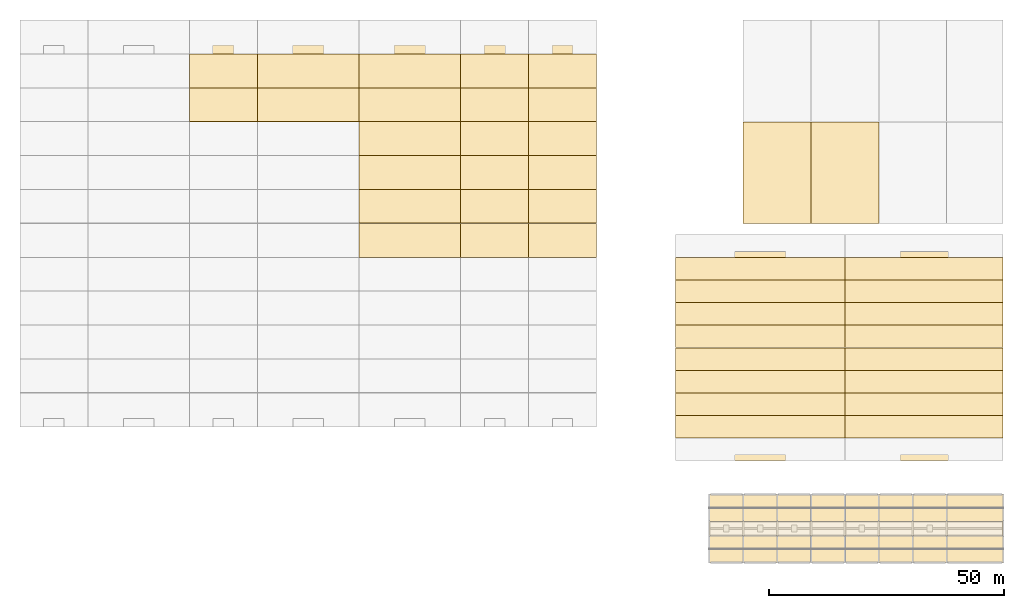
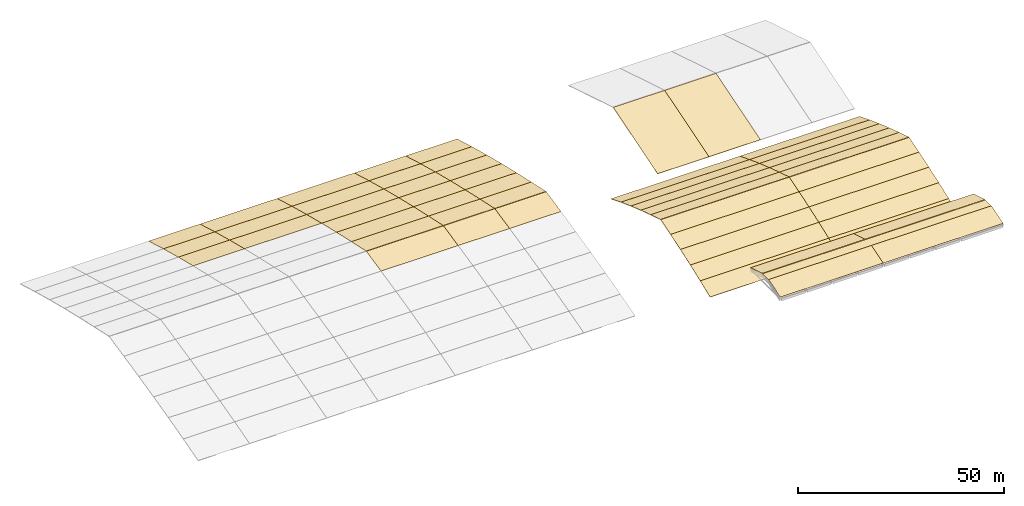
# One storey, part 6 of 7: 54 coverings, 11 elements without a shape of their own.
"""IFC4 building model written with IfcOpenShell, lengths in metres."""

import ifcopenshell
import ifcopenshell.guid

model = None  # the IFC model being written
_history = None  # IfcOwnerHistory: only IFC2X3 demands one
_inside = {}  # id of a spatial element -> (the spatial element, [elements in it])
_under = {}  # id of a project, library or spatial element -> (it, [spatial elements below it])
_declared = {}  # id of a project -> (the project, [libraries it declares])
_typed = {}  # id of a type object -> (the type object, [elements of that type])
_made_of = {}  # id of a material, layer set ... -> (it, [elements and type objects made of it])


def new_model(schema):
    """Start an empty IFC model of exactly this schema.

    Asked for "IFC4X3", IfcOpenShell would pick the latest addendum, in which some entities
    have other attributes; the version numbers below select the first issue.
    IFC2X3 requires an IfcOwnerHistory on every rooted entity: one is made here for all.
    """
    global model, _history
    if schema == "IFC4X3":
        model = ifcopenshell.file(schema_version=(4, 3, 0, 0))
    else:
        model = ifcopenshell.file(schema=schema)
    _inside.clear()
    _under.clear()
    _declared.clear()
    _typed.clear()
    _made_of.clear()
    _history = None
    if model.schema == "IFC2X3":
        org = make("IfcOrganization", Name="unknown")
        user = make(
            "IfcPersonAndOrganization",
            ThePerson=make("IfcPerson", FamilyName="unknown"),
            TheOrganization=org,
        )
        app = make(
            "IfcApplication",
            ApplicationDeveloper=org,
            Version="unknown",
            ApplicationFullName="unknown",
            ApplicationIdentifier="unknown",
        )
        _history = make(
            "IfcOwnerHistory",
            OwningUser=user,
            OwningApplication=app,
            ChangeAction="ADDED",
            CreationDate=0,
        )
    return model


def make(cls, **values):
    """One entity of the class cls with the attributes given. An attribute that is None is left unset."""
    return model.create_entity(
        cls, **{name: value for name, value in values.items() if value is not None}
    )


def rooted(cls, **values):
    """An entity with a GlobalId (a new one), such as an element, a storey or a relation."""
    return make(cls, GlobalId=ifcopenshell.guid.new(), OwnerHistory=_history, **values)


def si_unit(unit_type, name, prefix=None):
    """IfcSIUnit, for example si_unit("LENGTHUNIT", "METRE", prefix="MILLI")."""
    return make("IfcSIUnit", UnitType=unit_type, Prefix=prefix, Name=name)


def assignment(units):
    """IfcUnitAssignment: the units of a project."""
    return None if units is None else make("IfcUnitAssignment", Units=units)


def point(xyz):
    """IfcCartesianPoint."""
    return None if xyz is None else make("IfcCartesianPoint", Coordinates=xyz)


def direction(xyz):
    """IfcDirection."""
    return None if xyz is None else make("IfcDirection", DirectionRatios=xyz)


def frame(location, z_axis=None, x_axis=None):
    """IfcAxis2Placement3D, a coordinate frame: its origin and axes. An axis left out is left unset."""
    return make(
        "IfcAxis2Placement3D",
        Location=point(location),
        Axis=direction(z_axis),
        RefDirection=direction(x_axis),
    )


def origin():
    """The frame at (0, 0, 0) with its axes left unset."""
    return frame((0.0, 0.0, 0.0))


def place(relative_to, where):
    """IfcLocalPlacement: puts the frame where relative to a parent placement (None: the world)."""
    return make(
        "IfcLocalPlacement", PlacementRelTo=relative_to, RelativePlacement=where
    )


def context(
    kind, dimensions, precision=None, world=None, true_north=None, identifier=None
):
    """IfcGeometricRepresentationContext, for example the 3D "Model" context."""
    return make(
        "IfcGeometricRepresentationContext",
        ContextIdentifier=identifier,
        ContextType=kind,
        CoordinateSpaceDimension=dimensions,
        Precision=precision,
        WorldCoordinateSystem=world,
        TrueNorth=true_north,
    )


def subcontext(parent, identifier, kind, view, scale=None):
    """IfcGeometricRepresentationSubContext, for example "Body" below "Model"."""
    return make(
        "IfcGeometricRepresentationSubContext",
        ContextIdentifier=identifier,
        ContextType=kind,
        ParentContext=parent,
        TargetScale=scale,
        TargetView=view,
    )


def project(units=None, contexts=None):
    """IfcProject with its units and contexts."""
    return rooted(
        "IfcProject",
        Name="project",
        RepresentationContexts=contexts,
        UnitsInContext=assignment(units),
    )


def spatial(cls, under=None, at=None, **own):
    """A site, building, storey or space (cls), placed at a placement, below another one or the project."""
    s = rooted(cls, ObjectPlacement=at, **own)
    if under is not None:
        _under.setdefault(under.id(), (under, []))[1].append(s)
    return s


def polyline(points):
    """IfcPolyline through the points."""
    return make("IfcPolyline", Points=[point(p) for p in points])


def outline(outer, holes=None, kind="AREA"):
    """IfcArbitraryClosedProfileDef: a profile drawn as a closed curve; with holes, ...WithVoids."""
    if holes is None:
        return make("IfcArbitraryClosedProfileDef", ProfileType=kind, OuterCurve=outer)
    return make(
        "IfcArbitraryProfileDefWithVoids",
        ProfileType=kind,
        OuterCurve=outer,
        InnerCurves=holes,
    )


def extrude(swept, where, along, depth):
    """IfcExtrudedAreaSolid: the profile swept, set in the frame where, extruded along a direction by depth."""
    return make(
        "IfcExtrudedAreaSolid",
        SweptArea=swept,
        Position=where,
        ExtrudedDirection=direction(along),
        Depth=depth,
    )


def shape(context_of_items, identifier, shape_type, items):
    """IfcShapeRepresentation: the items that make up one representation, for example the "Body"."""
    return make(
        "IfcShapeRepresentation",
        ContextOfItems=context_of_items,
        RepresentationIdentifier=identifier,
        RepresentationType=shape_type,
        Items=items,
    )


def material(Name=None, Category=None):
    """IfcMaterial."""
    return make("IfcMaterial", Name=Name, Category=Category)


def layer(
    of_material, thickness, ventilated=None, Name=None, Category=None, Priority=None
):
    """IfcMaterialLayer: one layer of a wall or slab, of a material (None: an air gap)."""
    return make(
        "IfcMaterialLayer",
        Material=of_material,
        LayerThickness=thickness,
        IsVentilated=ventilated,
        Name=Name,
        Category=Category,
        Priority=Priority,
    )


def layer_set(layers, Name=None):
    """IfcMaterialLayerSet."""
    return make("IfcMaterialLayerSet", MaterialLayers=layers, LayerSetName=Name)


def made_of(thing, what):
    """Note that an element or type object is made of a material, layer set ...; save() writes the relation."""
    if what is not None:
        _made_of.setdefault(what.id(), (what, []))[1].append(thing)
    return thing


def type_object(cls, material=None, **own):
    """A type object (cls), such as IfcWallType, which elements share."""
    return made_of(rooted(cls, **own), material)


def element(
    cls,
    number,
    at=None,
    inside=None,
    cuts=None,
    type_object=None,
    material=None,
    context=None,
    identifier="Body",
    shape_type=None,
    held_by="IfcProductDefinitionShape",
    body=None,
    shapes=None,
    **own,
):
    """One element of the class cls, such as IfcWall. Its Tag is "e" and its number.

    at: its placement. inside: the storey or other place that contains it. cuts: it is an
    opening in that element (IfcRelVoidsElement). A single representation is given by context,
    identifier, shape_type and body (its items); several are given by shapes. held_by: the class
    of the entity that holds the representations. save() writes the other relations.
    """
    e = rooted(cls, Tag="e%d" % number, ObjectPlacement=at, **own)
    if body is not None:
        shapes = [shape(context, identifier, shape_type, body)]
    if shapes is not None:
        e.Representation = make(held_by, Representations=shapes)
    if inside is not None:
        _inside.setdefault(inside.id(), (inside, []))[1].append(e)
    if cuts is not None:
        rooted(
            "IfcRelVoidsElement", RelatingBuildingElement=cuts, RelatedOpeningElement=e
        )
    if type_object is not None:
        _typed.setdefault(type_object.id(), (type_object, []))[1].append(e)
    return made_of(e, material)


def aggregate(whole, parts):
    """IfcRelAggregates: a whole, such as a stair, and the parts it consists of."""
    return rooted("IfcRelAggregates", RelatingObject=whole, RelatedObjects=parts)


def save(model, path):
    """Write the relations noted so far, then the file.

    IfcRelAggregates (storeys below a building ...), IfcRelContainedInSpatialStructure (elements
    in a storey), IfcRelDefinesByType, IfcRelAssociatesMaterial and IfcRelDeclares: one each for
    every whole, place, type object, material and project.
    """
    for whole, parts in _under.values():
        aggregate(whole, parts)
    for where, things in _inside.values():
        rooted(
            "IfcRelContainedInSpatialStructure",
            RelatedElements=things,
            RelatingStructure=where,
        )
    for kind, things in _typed.values():
        rooted("IfcRelDefinesByType", RelatedObjects=things, RelatingType=kind)
    for what, things in _made_of.values():
        rooted("IfcRelAssociatesMaterial", RelatedObjects=things, RelatingMaterial=what)
    for by, libraries in _declared.values():
        rooted("IfcRelDeclares", RelatingContext=by, RelatedDefinitions=libraries)
    model.write(path)


model = new_model("IFC4")

# Units and contexts
model_context = context("Model", 3, precision=1e-05, world=origin(), true_north=direction((0.0, 1.0)))
body_context = subcontext(model_context, "Body", "Model", "MODEL_VIEW")
ifc_project = project(units=[si_unit("LENGTHUNIT", "METRE"), si_unit("AREAUNIT", "SQUARE_METRE"), si_unit("VOLUMEUNIT", "CUBIC_METRE"), si_unit("PLANEANGLEUNIT", "RADIAN"), si_unit("MASSUNIT", "GRAM", prefix="KILO")], contexts=[model_context])

# Site, building, storey
site_placement = place(None, origin())
site = spatial("IfcSite", under=ifc_project, at=site_placement, CompositionType="ELEMENT")
building_placement = place(site_placement, origin())
building = spatial("IfcBuilding", under=site, at=building_placement, Name="Cendralis Lancet Convention Centre", CompositionType="ELEMENT")
storey_placement = place(building_placement, frame((0.0, 0.0, 29.39990234375)))
storey = spatial("IfcBuildingStorey", under=building, at=storey_placement, Name="RF", CompositionType="ELEMENT", Elevation=29.39990234375)

# Covering
ifc_material_1 = material(Name="Elastomeric waterproof roof membrane")
ifc_layer_1 = layer(ifc_material_1, 0.050048828125, Name="Elastomeric waterproof roof membrane")
ifc_layer_set_1 = layer_set([ifc_layer_1], Name="Elastomeric waterproof roof membrane")
covering_type_1 = type_object("IfcCoveringType", Name="ARC-CV-MEMB", PredefinedType="ROOFING", material=ifc_layer_set_1)
covering_1_placement = place(storey_placement, frame((0.0, 0.0, 1.10009765625)))
element("IfcCovering", 1, at=covering_1_placement, inside=storey, type_object=covering_type_1, Name="RF Elastomeric Roof Membrane V5TOP", PredefinedType="ROOFING", context=body_context, shape_type="SweptSolid", body=[
    extrude(outline(polyline([(146.39990234375, 27.300048828125), (208.800048828125, 27.300048828125), (208.800048828125, 30.300048828125), (146.39990234375, 30.300048828125), (146.39990234375, 27.300048828125)])), origin(), (0.0, 0.0, 1.0), 0.02001953125),
])

# Roof, coverings
ifc_material_2 = material(Name="Patinated standing-seam zinc roofing")
ifc_layer_2 = layer(ifc_material_2, 0.159912109375, Name="Patinated standing-seam zinc roofing")
ifc_layer_set_2 = layer_set([ifc_layer_2], Name="Patinated standing-seam zinc roofing")
roof_type_1 = type_object("IfcRoofType", Name="ARC-RF-BARREL", PredefinedType="BARREL_ROOF", material=ifc_layer_set_2)
roof_1_placement = place(storey_placement, origin())
roof_1 = element("IfcRoof", 2, at=roof_1_placement, inside=storey, type_object=roof_type_1, Name="V1 Pointed-Arch Vault Roof Assembly #03", PredefinedType="BARREL_ROOF")
ifc_layer_3 = layer(ifc_material_2, 0.0400390625, Name="Patinated standing-seam zinc roofing")
ifc_layer_set_3 = layer_set([ifc_layer_3], Name="Patinated standing-seam zinc roofing")
covering_type_2 = type_object("IfcCoveringType", Name="ARC-CV-ZINC", PredefinedType="ROOFING", material=ifc_layer_set_3)
covering_2_placement = place(storey_placement, frame((36.0, 115.199951171875, -9.364501953125), z_axis=(0.0, 0.241645185965, 0.970364675831), x_axis=(1.0, 0.0, 0.0)))
covering_2 = element("IfcCovering", 3, at=covering_2_placement, type_object=covering_type_2, Name="V1 Standing-Seam Zinc Vault Roofing 03-09", PredefinedType="ROOFING", context=body_context, shape_type="SweptSolid", body=[
    extrude(outline(polyline([(0.0, 0.0), (14.39990234375, 0.0), (14.39990234375, 7.419840551916243), (0.0, 7.419840551916243), (0.0, 0.0)])), origin(), (0.0, 0.0, -1.0), 0.0400390625),
])
covering_3_placement = place(storey_placement, frame((36.0, 122.39990234375, -11.156494140625), z_axis=(0.0, 0.257615748816, 0.966247445514), x_axis=(1.0, 0.0, 0.0)))
covering_3 = element("IfcCovering", 4, at=covering_3_placement, type_object=covering_type_2, Name="V1 Standing-Seam Zinc Vault Roofing 03-10", PredefinedType="ROOFING", context=body_context, shape_type="SweptSolid", body=[
    extrude(outline(polyline([(0.0, 0.0), (14.39990234375, 0.0), (14.39990234375, 7.4517095449300825), (0.0, 7.4517095449300825), (0.0, 0.0)])), origin(), (0.0, 0.0, -1.0), 0.0400390625),
])
covering_4_placement = place(storey_placement, frame((36.0, 129.60009765625, -13.0751953125), z_axis=(0.0, 0.274660839675, 0.961541170803), x_axis=(1.0, 0.0, 0.0)))
covering_4 = element("IfcCovering", 5, at=covering_4_placement, type_object=covering_type_2, Name="V1 Standing-Seam Zinc Vault Roofing 03-11", PredefinedType="ROOFING", context=body_context, shape_type="SweptSolid", body=[
    extrude(outline(polyline([(0.0, 0.0), (14.39990234375, 0.0), (14.39990234375, 7.487928120500662), (0.0, 7.487928120500662), (0.0, 0.0)])), origin(), (0.0, 0.0, -1.0), 0.0400390625),
])
aggregate(roof_1, [covering_2, covering_3, covering_4])

roof_2_placement = place(storey_placement, origin())
roof_2 = element("IfcRoof", 6, at=roof_2_placement, inside=storey, type_object=roof_type_1, Name="V1 Pointed-Arch Vault Roof Assembly #04", PredefinedType="BARREL_ROOF")
covering_5_placement = place(storey_placement, frame((50.39990234375, 115.199951171875, -9.364501953125), z_axis=(0.0, 0.241645185965, 0.970364675831), x_axis=(1.0, 0.0, 0.0)))
covering_5 = element("IfcCovering", 7, at=covering_5_placement, type_object=covering_type_2, Name="V1 Standing-Seam Zinc Vault Roofing 04-09", PredefinedType="ROOFING", context=body_context, shape_type="SweptSolid", body=[
    extrude(outline(polyline([(0.0, 0.0), (21.60009765625, 0.0), (21.60009765625, 7.419840551916243), (0.0, 7.419840551916243), (0.0, 0.0)])), origin(), (0.0, 0.0, -1.0), 0.0400390625),
])
covering_6_placement = place(storey_placement, frame((50.39990234375, 122.39990234375, -11.156494140625), z_axis=(0.0, 0.257615748816, 0.966247445514), x_axis=(1.0, 0.0, 0.0)))
covering_6 = element("IfcCovering", 8, at=covering_6_placement, type_object=covering_type_2, Name="V1 Standing-Seam Zinc Vault Roofing 04-10", PredefinedType="ROOFING", context=body_context, shape_type="SweptSolid", body=[
    extrude(outline(polyline([(0.0, 0.0), (21.60009765625, 0.0), (21.60009765625, 7.4517095449300825), (0.0, 7.4517095449300825), (0.0, 0.0)])), origin(), (0.0, 0.0, -1.0), 0.0400390625),
])
covering_7_placement = place(storey_placement, frame((50.39990234375, 129.60009765625, -13.0751953125), z_axis=(0.0, 0.274660839675, 0.961541170803), x_axis=(1.0, 0.0, 0.0)))
covering_7 = element("IfcCovering", 9, at=covering_7_placement, type_object=covering_type_2, Name="V1 Standing-Seam Zinc Vault Roofing 04-11", PredefinedType="ROOFING", context=body_context, shape_type="SweptSolid", body=[
    extrude(outline(polyline([(0.0, 0.0), (21.60009765625, 0.0), (21.60009765625, 7.487928120500662), (0.0, 7.487928120500662), (0.0, 0.0)])), origin(), (0.0, 0.0, -1.0), 0.0400390625),
])
aggregate(roof_2, [covering_5, covering_6, covering_7])

roof_3_placement = place(storey_placement, origin())
roof_3 = element("IfcRoof", 10, at=roof_3_placement, inside=storey, type_object=roof_type_1, Name="V1 Pointed-Arch Vault Roof Assembly #05", PredefinedType="BARREL_ROOF")
covering_8_placement = place(storey_placement, frame((72.0, 86.39990234375, -6.0751953125), z_axis=(0.0, -0.210669519092, 0.977557340377), x_axis=(1.0, 0.0, 0.0)))
covering_8 = element("IfcCovering", 11, at=covering_8_placement, type_object=covering_type_2, Name="V1 Standing-Seam Zinc Vault Roofing 05-05", PredefinedType="ROOFING", context=body_context, shape_type="SweptSolid", body=[
    extrude(outline(polyline([(0.0, 0.0), (21.60009765625, 0.0), (21.60009765625, 7.3090541456043425), (0.0, 7.3090541456043425), (0.0, 0.0)])), origin(), (0.0, 0.0, -1.0), 0.0400390625),
])
covering_9_placement = place(storey_placement, frame((72.0, 93.655029296875, -4.535400390625), z_axis=(0.0, 0.210669519092, 0.977557340377), x_axis=(1.0, 0.0, 0.0)))
covering_9 = element("IfcCovering", 12, at=covering_9_placement, type_object=covering_type_2, Name="V1 Standing-Seam Zinc Vault Roofing 05-06", PredefinedType="ROOFING", context=body_context, shape_type="SweptSolid", body=[
    extrude(outline(polyline([(0.0, 0.0), (21.60009765625, 0.0), (21.60009765625, 7.3090541456043425), (0.0, 7.3090541456043425), (0.0, 0.0)])), origin(), (0.0, 0.0, -1.0), 0.0400390625),
])
covering_10_placement = place(storey_placement, frame((72.0, 100.800048828125, -6.074951171875), z_axis=(0.0, 0.217354480974, 0.976092736168), x_axis=(1.0, 0.0, 0.0)))
covering_10 = element("IfcCovering", 13, at=covering_10_placement, type_object=covering_type_2, Name="V1 Standing-Seam Zinc Vault Roofing 05-07", PredefinedType="ROOFING", context=body_context, shape_type="SweptSolid", body=[
    extrude(outline(polyline([(0.0, 0.0), (21.60009765625, 0.0), (21.60009765625, 7.376298280980386), (0.0, 7.376298280980386), (0.0, 0.0)])), origin(), (0.0, 0.0, -1.0), 0.0400390625),
])
covering_11_placement = place(storey_placement, frame((72.0, 108.0, -7.677490234375), z_axis=(0.0, 0.228192789739, 0.97361596675), x_axis=(1.0, 0.0, 0.0)))
covering_11 = element("IfcCovering", 14, at=covering_11_placement, type_object=covering_type_2, Name="V1 Standing-Seam Zinc Vault Roofing 05-08", PredefinedType="ROOFING", context=body_context, shape_type="SweptSolid", body=[
    extrude(outline(polyline([(0.0, 0.0), (21.60009765625, 0.0), (21.60009765625, 7.395062753444637), (0.0, 7.395062753444637), (0.0, 0.0)])), origin(), (0.0, 0.0, -1.0), 0.0400390625),
])
covering_12_placement = place(storey_placement, frame((72.0, 115.199951171875, -9.364501953125), z_axis=(0.0, 0.241645185965, 0.970364675831), x_axis=(1.0, 0.0, 0.0)))
covering_12 = element("IfcCovering", 15, at=covering_12_placement, type_object=covering_type_2, Name="V1 Standing-Seam Zinc Vault Roofing 05-09", PredefinedType="ROOFING", context=body_context, shape_type="SweptSolid", body=[
    extrude(outline(polyline([(0.0, 0.0), (21.60009765625, 0.0), (21.60009765625, 7.419840551916243), (0.0, 7.419840551916243), (0.0, 0.0)])), origin(), (0.0, 0.0, -1.0), 0.0400390625),
])
covering_13_placement = place(storey_placement, frame((72.0, 122.39990234375, -11.156494140625), z_axis=(0.0, 0.257615748816, 0.966247445514), x_axis=(1.0, 0.0, 0.0)))
covering_13 = element("IfcCovering", 16, at=covering_13_placement, type_object=covering_type_2, Name="V1 Standing-Seam Zinc Vault Roofing 05-10", PredefinedType="ROOFING", context=body_context, shape_type="SweptSolid", body=[
    extrude(outline(polyline([(0.0, 0.0), (21.60009765625, 0.0), (21.60009765625, 7.4517095449300825), (0.0, 7.4517095449300825), (0.0, 0.0)])), origin(), (0.0, 0.0, -1.0), 0.0400390625),
])
covering_14_placement = place(storey_placement, frame((72.0, 129.60009765625, -13.0751953125), z_axis=(0.0, 0.274660839675, 0.961541170803), x_axis=(1.0, 0.0, 0.0)))
covering_14 = element("IfcCovering", 17, at=covering_14_placement, type_object=covering_type_2, Name="V1 Standing-Seam Zinc Vault Roofing 05-11", PredefinedType="ROOFING", context=body_context, shape_type="SweptSolid", body=[
    extrude(outline(polyline([(0.0, 0.0), (21.60009765625, 0.0), (21.60009765625, 7.487928120500662), (0.0, 7.487928120500662), (0.0, 0.0)])), origin(), (0.0, 0.0, -1.0), 0.0400390625),
])
aggregate(roof_3, [covering_8, covering_9, covering_10, covering_11, covering_12, covering_13, covering_14])

roof_4_placement = place(storey_placement, origin())
roof_4 = element("IfcRoof", 18, at=roof_4_placement, inside=storey, type_object=roof_type_1, Name="V1 Pointed-Arch Vault Roof Assembly #06", PredefinedType="BARREL_ROOF")
covering_15_placement = place(storey_placement, frame((93.60009765625, 86.39990234375, -6.0751953125), z_axis=(0.0, -0.210669519092, 0.977557340377), x_axis=(1.0, 0.0, 0.0)))
covering_15 = element("IfcCovering", 19, at=covering_15_placement, type_object=covering_type_2, Name="V1 Standing-Seam Zinc Vault Roofing 06-05", PredefinedType="ROOFING", context=body_context, shape_type="SweptSolid", body=[
    extrude(outline(polyline([(0.0, 0.0), (14.39990234375, 0.0), (14.39990234375, 7.309054145604342), (0.0, 7.309054145604342), (0.0, 0.0)])), origin(), (0.0, 0.0, -1.0), 0.0400390625),
])
covering_16_placement = place(storey_placement, frame((93.60009765625, 93.655029296875, -4.535400390625), z_axis=(0.0, 0.210669519092, 0.977557340377), x_axis=(1.0, 0.0, 0.0)))
covering_16 = element("IfcCovering", 20, at=covering_16_placement, type_object=covering_type_2, Name="V1 Standing-Seam Zinc Vault Roofing 06-06", PredefinedType="ROOFING", context=body_context, shape_type="SweptSolid", body=[
    extrude(outline(polyline([(0.0, 0.0), (14.39990234375, 0.0), (14.39990234375, 7.309054145604342), (0.0, 7.309054145604342), (0.0, 0.0)])), origin(), (0.0, 0.0, -1.0), 0.0400390625),
])
covering_17_placement = place(storey_placement, frame((93.60009765625, 100.800048828125, -6.074951171875), z_axis=(0.0, 0.217354480974, 0.976092736168), x_axis=(1.0, 0.0, 0.0)))
covering_17 = element("IfcCovering", 21, at=covering_17_placement, type_object=covering_type_2, Name="V1 Standing-Seam Zinc Vault Roofing 06-07", PredefinedType="ROOFING", context=body_context, shape_type="SweptSolid", body=[
    extrude(outline(polyline([(0.0, 0.0), (14.39990234375, 0.0), (14.39990234375, 7.376298280980387), (0.0, 7.376298280980387), (0.0, 0.0)])), origin(), (0.0, 0.0, -1.0), 0.0400390625),
])
covering_18_placement = place(storey_placement, frame((93.60009765625, 108.0, -7.677490234375), z_axis=(0.0, 0.228192789739, 0.97361596675), x_axis=(1.0, 0.0, 0.0)))
covering_18 = element("IfcCovering", 22, at=covering_18_placement, type_object=covering_type_2, Name="V1 Standing-Seam Zinc Vault Roofing 06-08", PredefinedType="ROOFING", context=body_context, shape_type="SweptSolid", body=[
    extrude(outline(polyline([(0.0, 0.0), (14.39990234375, 0.0), (14.39990234375, 7.395062753444637), (0.0, 7.395062753444637), (0.0, 0.0)])), origin(), (0.0, 0.0, -1.0), 0.0400390625),
])
covering_19_placement = place(storey_placement, frame((93.60009765625, 115.199951171875, -9.364501953125), z_axis=(0.0, 0.241645185965, 0.970364675831), x_axis=(1.0, 0.0, 0.0)))
covering_19 = element("IfcCovering", 23, at=covering_19_placement, type_object=covering_type_2, Name="V1 Standing-Seam Zinc Vault Roofing 06-09", PredefinedType="ROOFING", context=body_context, shape_type="SweptSolid", body=[
    extrude(outline(polyline([(0.0, 0.0), (14.39990234375, 0.0), (14.39990234375, 7.419840551916243), (0.0, 7.419840551916243), (0.0, 0.0)])), origin(), (0.0, 0.0, -1.0), 0.0400390625),
])
covering_20_placement = place(storey_placement, frame((93.60009765625, 122.39990234375, -11.156494140625), z_axis=(0.0, 0.257615748816, 0.966247445514), x_axis=(1.0, 0.0, 0.0)))
covering_20 = element("IfcCovering", 24, at=covering_20_placement, type_object=covering_type_2, Name="V1 Standing-Seam Zinc Vault Roofing 06-10", PredefinedType="ROOFING", context=body_context, shape_type="SweptSolid", body=[
    extrude(outline(polyline([(0.0, 0.0), (14.39990234375, 0.0), (14.39990234375, 7.4517095449300825), (0.0, 7.4517095449300825), (0.0, 0.0)])), origin(), (0.0, 0.0, -1.0), 0.0400390625),
])
covering_21_placement = place(storey_placement, frame((93.60009765625, 129.60009765625, -13.0751953125), z_axis=(0.0, 0.274660839675, 0.961541170803), x_axis=(1.0, 0.0, 0.0)))
covering_21 = element("IfcCovering", 25, at=covering_21_placement, type_object=covering_type_2, Name="V1 Standing-Seam Zinc Vault Roofing 06-11", PredefinedType="ROOFING", context=body_context, shape_type="SweptSolid", body=[
    extrude(outline(polyline([(0.0, 0.0), (14.39990234375, 0.0), (14.39990234375, 7.487928120500662), (0.0, 7.487928120500662), (0.0, 0.0)])), origin(), (0.0, 0.0, -1.0), 0.0400390625),
])
aggregate(roof_4, [covering_15, covering_16, covering_17, covering_18, covering_19, covering_20, covering_21])

roof_5_placement = place(storey_placement, origin())
roof_5 = element("IfcRoof", 26, at=roof_5_placement, inside=storey, type_object=roof_type_1, Name="V1 Pointed-Arch Vault Roof Assembly #07", PredefinedType="BARREL_ROOF")
covering_22_placement = place(storey_placement, frame((108.0, 86.39990234375, -6.0751953125), z_axis=(0.0, -0.210669519092, 0.977557340377), x_axis=(1.0, 0.0, 0.0)))
covering_22 = element("IfcCovering", 27, at=covering_22_placement, type_object=covering_type_2, Name="V1 Standing-Seam Zinc Vault Roofing 07-05", PredefinedType="ROOFING", context=body_context, shape_type="SweptSolid", body=[
    extrude(outline(polyline([(0.0, 0.0), (14.39990234375, 0.0), (14.39990234375, 7.309054145604342), (0.0, 7.309054145604342), (0.0, 0.0)])), origin(), (0.0, 0.0, -1.0), 0.0400390625),
])
covering_23_placement = place(storey_placement, frame((108.0, 93.655029296875, -4.535400390625), z_axis=(0.0, 0.210669519092, 0.977557340377), x_axis=(1.0, 0.0, 0.0)))
covering_23 = element("IfcCovering", 28, at=covering_23_placement, type_object=covering_type_2, Name="V1 Standing-Seam Zinc Vault Roofing 07-06", PredefinedType="ROOFING", context=body_context, shape_type="SweptSolid", body=[
    extrude(outline(polyline([(0.0, 0.0), (14.39990234375, 0.0), (14.39990234375, 7.309054145604342), (0.0, 7.309054145604342), (0.0, 0.0)])), origin(), (0.0, 0.0, -1.0), 0.0400390625),
])
covering_24_placement = place(storey_placement, frame((108.0, 100.800048828125, -6.074951171875), z_axis=(0.0, 0.217354480974, 0.976092736168), x_axis=(1.0, 0.0, 0.0)))
covering_24 = element("IfcCovering", 29, at=covering_24_placement, type_object=covering_type_2, Name="V1 Standing-Seam Zinc Vault Roofing 07-07", PredefinedType="ROOFING", context=body_context, shape_type="SweptSolid", body=[
    extrude(outline(polyline([(0.0, 0.0), (14.39990234375, 0.0), (14.39990234375, 7.376298280980387), (0.0, 7.376298280980387), (0.0, 0.0)])), origin(), (0.0, 0.0, -1.0), 0.0400390625),
])
covering_25_placement = place(storey_placement, frame((108.0, 108.0, -7.677490234375), z_axis=(0.0, 0.228192789739, 0.97361596675), x_axis=(1.0, 0.0, 0.0)))
covering_25 = element("IfcCovering", 30, at=covering_25_placement, type_object=covering_type_2, Name="V1 Standing-Seam Zinc Vault Roofing 07-08", PredefinedType="ROOFING", context=body_context, shape_type="SweptSolid", body=[
    extrude(outline(polyline([(0.0, 0.0), (14.39990234375, 0.0), (14.39990234375, 7.395062753444637), (0.0, 7.395062753444637), (0.0, 0.0)])), origin(), (0.0, 0.0, -1.0), 0.0400390625),
])
covering_26_placement = place(storey_placement, frame((108.0, 115.199951171875, -9.364501953125), z_axis=(0.0, 0.241645185965, 0.970364675831), x_axis=(1.0, 0.0, 0.0)))
covering_26 = element("IfcCovering", 31, at=covering_26_placement, type_object=covering_type_2, Name="V1 Standing-Seam Zinc Vault Roofing 07-09", PredefinedType="ROOFING", context=body_context, shape_type="SweptSolid", body=[
    extrude(outline(polyline([(0.0, 0.0), (14.39990234375, 0.0), (14.39990234375, 7.419840551916243), (0.0, 7.419840551916243), (0.0, 0.0)])), origin(), (0.0, 0.0, -1.0), 0.0400390625),
])
covering_27_placement = place(storey_placement, frame((108.0, 122.39990234375, -11.156494140625), z_axis=(0.0, 0.257615748816, 0.966247445514), x_axis=(1.0, 0.0, 0.0)))
covering_27 = element("IfcCovering", 32, at=covering_27_placement, type_object=covering_type_2, Name="V1 Standing-Seam Zinc Vault Roofing 07-10", PredefinedType="ROOFING", context=body_context, shape_type="SweptSolid", body=[
    extrude(outline(polyline([(0.0, 0.0), (14.39990234375, 0.0), (14.39990234375, 7.4517095449300825), (0.0, 7.4517095449300825), (0.0, 0.0)])), origin(), (0.0, 0.0, -1.0), 0.0400390625),
])
covering_28_placement = place(storey_placement, frame((108.0, 129.60009765625, -13.0751953125), z_axis=(0.0, 0.274660839675, 0.961541170803), x_axis=(1.0, 0.0, 0.0)))
covering_28 = element("IfcCovering", 33, at=covering_28_placement, type_object=covering_type_2, Name="V1 Standing-Seam Zinc Vault Roofing 07-11", PredefinedType="ROOFING", context=body_context, shape_type="SweptSolid", body=[
    extrude(outline(polyline([(0.0, 0.0), (14.39990234375, 0.0), (14.39990234375, 7.487928120500662), (0.0, 7.487928120500662), (0.0, 0.0)])), origin(), (0.0, 0.0, -1.0), 0.0400390625),
])
aggregate(roof_5, [covering_22, covering_23, covering_24, covering_25, covering_26, covering_27, covering_28])

roof_6_placement = place(storey_placement, origin())
roof_6 = element("IfcRoof", 34, at=roof_6_placement, inside=storey, type_object=roof_type_1, Name="V2 Pointed-Arch Vault Roof Assembly #01", PredefinedType="BARREL_ROOF")
covering_29_placement = place(storey_placement, frame((139.199951171875, 43.199951171875, -11.08544921875), z_axis=(0.0, -0.368805323469, 0.929506661289), x_axis=(1.0, 0.0, 0.0)))
covering_29 = element("IfcCovering", 35, at=covering_29_placement, type_object=covering_type_2, Name="V2 Standing-Seam Zinc Vault Roofing 01-00", PredefinedType="ROOFING", context=body_context, shape_type="SweptSolid", body=[
    extrude(outline(polyline([(0.0, 0.0), (36.0, 0.0), (36.0, 5.164082225582983), (0.0, 5.164082225582983), (0.0, 0.0)])), origin(), (0.0, 0.0, -1.0), 0.0400390625),
])
covering_30_placement = place(storey_placement, frame((139.199951171875, 48.0, -9.1826171875), z_axis=(0.0, -0.348410360555, 0.937342104388), x_axis=(1.0, 0.0, 0.0)))
covering_30 = element("IfcCovering", 36, at=covering_30_placement, type_object=covering_type_2, Name="V2 Standing-Seam Zinc Vault Roofing 01-01", PredefinedType="ROOFING", context=body_context, shape_type="SweptSolid", body=[
    extrude(outline(polyline([(0.0, 0.0), (36.0, 0.0), (36.0, 5.120914557935113), (0.0, 5.120914557935113), (0.0, 0.0)])), origin(), (0.0, 0.0, -1.0), 0.0400390625),
])
covering_31_placement = place(storey_placement, frame((139.199951171875, 52.800048828125, -7.39990234375), z_axis=(0.0, -0.327508322273, 0.944848294088), x_axis=(1.0, 0.0, 0.0)))
covering_31 = element("IfcCovering", 37, at=covering_31_placement, type_object=covering_type_2, Name="V2 Standing-Seam Zinc Vault Roofing 01-02", PredefinedType="ROOFING", context=body_context, shape_type="SweptSolid", body=[
    extrude(outline(polyline([(0.0, 0.0), (36.0, 0.0), (36.0, 5.080232306241271), (0.0, 5.080232306241271), (0.0, 0.0)])), origin(), (0.0, 0.0, -1.0), 0.0400390625),
])
covering_32_placement = place(storey_placement, frame((139.199951171875, 57.60009765625, -5.7373046875), z_axis=(0.0, -0.309764003108, 0.95081347402), x_axis=(1.0, 0.0, 0.0)))
covering_32 = element("IfcCovering", 38, at=covering_32_placement, type_object=covering_type_2, Name="V2 Standing-Seam Zinc Vault Roofing 01-03", PredefinedType="ROOFING", context=body_context, shape_type="SweptSolid", body=[
    extrude(outline(polyline([(0.0, 0.0), (36.0, 0.0), (36.0, 5.04810335428354), (0.0, 5.04810335428354), (0.0, 0.0)])), origin(), (0.0, 0.0, -1.0), 0.0400390625),
])
covering_33_placement = place(storey_placement, frame((139.199951171875, 62.39990234375, -4.17431640625), z_axis=(0.0, -0.298375652602, 0.954448516125), x_axis=(1.0, 0.0, 0.0)))
covering_33 = element("IfcCovering", 39, at=covering_33_placement, type_object=covering_type_2, Name="V2 Standing-Seam Zinc Vault Roofing 01-04", PredefinedType="ROOFING", context=body_context, shape_type="SweptSolid", body=[
    extrude(outline(polyline([(0.0, 0.0), (36.0, 0.0), (36.0, 4.971580035309232), (0.0, 4.971580035309232), (0.0, 0.0)])), origin(), (0.0, 0.0, -1.0), 0.0400390625),
])
covering_34_placement = place(storey_placement, frame((139.199951171875, 67.2548828125, -2.69091796875), z_axis=(0.0, 0.298375652602, 0.954448516125), x_axis=(1.0, 0.0, 0.0)))
covering_34 = element("IfcCovering", 40, at=covering_34_placement, type_object=covering_type_2, Name="V2 Standing-Seam Zinc Vault Roofing 01-05", PredefinedType="ROOFING", context=body_context, shape_type="SweptSolid", body=[
    extrude(outline(polyline([(0.0, 0.0), (36.0, 0.0), (36.0, 4.971580035309232), (0.0, 4.971580035309232), (0.0, 0.0)])), origin(), (0.0, 0.0, -1.0), 0.0400390625),
])
covering_35_placement = place(storey_placement, frame((139.199951171875, 72.0, -4.173583984375), z_axis=(0.0, 0.309749759527, 0.950818114296), x_axis=(1.0, 0.0, 0.0)))
covering_35 = element("IfcCovering", 41, at=covering_35_placement, type_object=covering_type_2, Name="V2 Standing-Seam Zinc Vault Roofing 01-06", PredefinedType="ROOFING", context=body_context, shape_type="SweptSolid", body=[
    extrude(outline(polyline([(0.0, 0.0), (36.0, 0.0), (36.0, 5.048335487045797), (0.0, 5.048335487045797), (0.0, 0.0)])), origin(), (0.0, 0.0, -1.0), 0.0400390625),
])
covering_36_placement = place(storey_placement, frame((139.199951171875, 76.800048828125, -5.736083984375), z_axis=(0.0, 0.327508322273, 0.944848294088), x_axis=(1.0, 0.0, 0.0)))
covering_36 = element("IfcCovering", 42, at=covering_36_placement, type_object=covering_type_2, Name="V2 Standing-Seam Zinc Vault Roofing 01-07", PredefinedType="ROOFING", context=body_context, shape_type="SweptSolid", body=[
    extrude(outline(polyline([(0.0, 0.0), (36.0, 0.0), (36.0, 5.080232306241271), (0.0, 5.080232306241271), (0.0, 0.0)])), origin(), (0.0, 0.0, -1.0), 0.0400390625),
])
covering_37_placement = place(storey_placement, frame((139.199951171875, 81.60009765625, -7.3984375), z_axis=(0.0, 0.348425930955, 0.937336316718), x_axis=(1.0, 0.0, 0.0)))
covering_37 = element("IfcCovering", 43, at=covering_37_placement, type_object=covering_type_2, Name="V2 Standing-Seam Zinc Vault Roofing 01-08", PredefinedType="ROOFING", context=body_context, shape_type="SweptSolid", body=[
    extrude(outline(polyline([(0.0, 0.0), (36.0, 0.0), (36.0, 5.120685715354396), (0.0, 5.120685715354396), (0.0, 0.0)])), origin(), (0.0, 0.0, -1.0), 0.0400390625),
])
covering_38_placement = place(storey_placement, frame((139.199951171875, 86.39990234375, -9.180908203125), z_axis=(0.0, 0.368805323469, 0.929506661289), x_axis=(1.0, 0.0, 0.0)))
covering_38 = element("IfcCovering", 44, at=covering_38_placement, type_object=covering_type_2, Name="V2 Standing-Seam Zinc Vault Roofing 01-09", PredefinedType="ROOFING", context=body_context, shape_type="SweptSolid", body=[
    extrude(outline(polyline([(0.0, 0.0), (36.0, 0.0), (36.0, 5.164082225582983), (0.0, 5.164082225582983), (0.0, 0.0)])), origin(), (0.0, 0.0, -1.0), 0.0400390625),
])
aggregate(roof_6, [covering_29, covering_30, covering_31, covering_32, covering_33, covering_34, covering_35, covering_36, covering_37, covering_38])

roof_7_placement = place(storey_placement, origin())
roof_7 = element("IfcRoof", 45, at=roof_7_placement, inside=storey, type_object=roof_type_1, Name="V2 Pointed-Arch Vault Roof Assembly #02", PredefinedType="BARREL_ROOF")
covering_39_placement = place(storey_placement, frame((175.199951171875, 43.199951171875, -11.08544921875), z_axis=(0.0, -0.368805323469, 0.929506661289), x_axis=(1.0, 0.0, 0.0)))
covering_39 = element("IfcCovering", 46, at=covering_39_placement, type_object=covering_type_2, Name="V2 Standing-Seam Zinc Vault Roofing 02-00", PredefinedType="ROOFING", context=body_context, shape_type="SweptSolid", body=[
    extrude(outline(polyline([(0.0, 0.0), (33.60009765625, 0.0), (33.60009765625, 5.164082225582982), (0.0, 5.164082225582982), (0.0, 0.0)])), origin(), (0.0, 0.0, -1.0), 0.0400390625),
])
covering_40_placement = place(storey_placement, frame((175.199951171875, 48.0, -9.1826171875), z_axis=(0.0, -0.348410360555, 0.937342104388), x_axis=(1.0, 0.0, 0.0)))
covering_40 = element("IfcCovering", 47, at=covering_40_placement, type_object=covering_type_2, Name="V2 Standing-Seam Zinc Vault Roofing 02-01", PredefinedType="ROOFING", context=body_context, shape_type="SweptSolid", body=[
    extrude(outline(polyline([(0.0, 0.0), (33.60009765625, 0.0), (33.60009765625, 5.120914557935113), (0.0, 5.120914557935113), (0.0, 0.0)])), origin(), (0.0, 0.0, -1.0), 0.0400390625),
])
covering_41_placement = place(storey_placement, frame((175.199951171875, 52.800048828125, -7.39990234375), z_axis=(0.0, -0.327508322273, 0.944848294088), x_axis=(1.0, 0.0, 0.0)))
covering_41 = element("IfcCovering", 48, at=covering_41_placement, type_object=covering_type_2, Name="V2 Standing-Seam Zinc Vault Roofing 02-02", PredefinedType="ROOFING", context=body_context, shape_type="SweptSolid", body=[
    extrude(outline(polyline([(0.0, 0.0), (33.60009765625, 0.0), (33.60009765625, 5.080232306241271), (0.0, 5.080232306241271), (0.0, 0.0)])), origin(), (0.0, 0.0, -1.0), 0.0400390625),
])
covering_42_placement = place(storey_placement, frame((175.199951171875, 57.60009765625, -5.7373046875), z_axis=(0.0, -0.309764003108, 0.95081347402), x_axis=(1.0, 0.0, 0.0)))
covering_42 = element("IfcCovering", 49, at=covering_42_placement, type_object=covering_type_2, Name="V2 Standing-Seam Zinc Vault Roofing 02-03", PredefinedType="ROOFING", context=body_context, shape_type="SweptSolid", body=[
    extrude(outline(polyline([(0.0, 0.0), (33.60009765625, 0.0), (33.60009765625, 5.048103354283539), (0.0, 5.048103354283539), (0.0, 0.0)])), origin(), (0.0, 0.0, -1.0), 0.0400390625),
])
covering_43_placement = place(storey_placement, frame((175.199951171875, 62.39990234375, -4.17431640625), z_axis=(0.0, -0.298375652602, 0.954448516125), x_axis=(1.0, 0.0, 0.0)))
covering_43 = element("IfcCovering", 50, at=covering_43_placement, type_object=covering_type_2, Name="V2 Standing-Seam Zinc Vault Roofing 02-04", PredefinedType="ROOFING", context=body_context, shape_type="SweptSolid", body=[
    extrude(outline(polyline([(0.0, 0.0), (33.60009765625, 0.0), (33.60009765625, 4.971580035309232), (0.0, 4.971580035309232), (0.0, 0.0)])), origin(), (0.0, 0.0, -1.0), 0.0400390625),
])
covering_44_placement = place(storey_placement, frame((175.199951171875, 67.2548828125, -2.69091796875), z_axis=(0.0, 0.298375652602, 0.954448516125), x_axis=(1.0, 0.0, 0.0)))
covering_44 = element("IfcCovering", 51, at=covering_44_placement, type_object=covering_type_2, Name="V2 Standing-Seam Zinc Vault Roofing 02-05", PredefinedType="ROOFING", context=body_context, shape_type="SweptSolid", body=[
    extrude(outline(polyline([(0.0, 0.0), (33.60009765625, 0.0), (33.60009765625, 4.971580035309232), (0.0, 4.971580035309232), (0.0, 0.0)])), origin(), (0.0, 0.0, -1.0), 0.0400390625),
])
covering_45_placement = place(storey_placement, frame((175.199951171875, 72.0, -4.173583984375), z_axis=(0.0, 0.309749759527, 0.950818114296), x_axis=(1.0, 0.0, 0.0)))
covering_45 = element("IfcCovering", 52, at=covering_45_placement, type_object=covering_type_2, Name="V2 Standing-Seam Zinc Vault Roofing 02-06", PredefinedType="ROOFING", context=body_context, shape_type="SweptSolid", body=[
    extrude(outline(polyline([(0.0, 0.0), (33.60009765625, 0.0), (33.60009765625, 5.048335487045797), (0.0, 5.048335487045797), (0.0, 0.0)])), origin(), (0.0, 0.0, -1.0), 0.0400390625),
])
covering_46_placement = place(storey_placement, frame((175.199951171875, 76.800048828125, -5.736083984375), z_axis=(0.0, 0.327508322273, 0.944848294088), x_axis=(1.0, 0.0, 0.0)))
covering_46 = element("IfcCovering", 53, at=covering_46_placement, type_object=covering_type_2, Name="V2 Standing-Seam Zinc Vault Roofing 02-07", PredefinedType="ROOFING", context=body_context, shape_type="SweptSolid", body=[
    extrude(outline(polyline([(0.0, 0.0), (33.60009765625, 0.0), (33.60009765625, 5.080232306241271), (0.0, 5.080232306241271), (0.0, 0.0)])), origin(), (0.0, 0.0, -1.0), 0.0400390625),
])
covering_47_placement = place(storey_placement, frame((175.199951171875, 81.60009765625, -7.3984375), z_axis=(0.0, 0.348425930955, 0.937336316718), x_axis=(1.0, 0.0, 0.0)))
covering_47 = element("IfcCovering", 54, at=covering_47_placement, type_object=covering_type_2, Name="V2 Standing-Seam Zinc Vault Roofing 02-08", PredefinedType="ROOFING", context=body_context, shape_type="SweptSolid", body=[
    extrude(outline(polyline([(0.0, 0.0), (33.60009765625, 0.0), (33.60009765625, 5.120685715354396), (0.0, 5.120685715354396), (0.0, 0.0)])), origin(), (0.0, 0.0, -1.0), 0.0400390625),
])
covering_48_placement = place(storey_placement, frame((175.199951171875, 86.39990234375, -9.180908203125), z_axis=(0.0, 0.368805323469, 0.929506661289), x_axis=(1.0, 0.0, 0.0)))
covering_48 = element("IfcCovering", 55, at=covering_48_placement, type_object=covering_type_2, Name="V2 Standing-Seam Zinc Vault Roofing 02-09", PredefinedType="ROOFING", context=body_context, shape_type="SweptSolid", body=[
    extrude(outline(polyline([(0.0, 0.0), (33.60009765625, 0.0), (33.60009765625, 5.164082225582982), (0.0, 5.164082225582982), (0.0, 0.0)])), origin(), (0.0, 0.0, -1.0), 0.0400390625),
])
aggregate(roof_7, [covering_39, covering_40, covering_41, covering_42, covering_43, covering_44, covering_45, covering_46, covering_47, covering_48])

# Roof, covering
ifc_layer_4 = layer(ifc_material_2, 0.139892578125, Name="Patinated standing-seam zinc roofing")
ifc_layer_set_4 = layer_set([ifc_layer_4], Name="Patinated standing-seam zinc roofing")
roof_type_2 = type_object("IfcRoofType", Name="ARC-RF-HIP", PredefinedType="HIP_ROOF", material=ifc_layer_set_4)
roof_8_placement = place(storey_placement, origin())
roof_8 = element("IfcRoof", 56, at=roof_8_placement, inside=storey, type_object=roof_type_2, Name="Ballroom Pointed-Gable Zinc Roof Assembly #01", PredefinedType="HIP_ROOF")
covering_49_placement = place(storey_placement, frame((153.60009765625, 93.60009765625, -10.191650390625), z_axis=(0.0, -0.292959347683, 0.956124898015), x_axis=(1.0, 0.0, 0.0)))
covering_49 = element("IfcCovering", 57, at=covering_49_placement, type_object=covering_type_2, Name="Ballroom Standing-Seam Zinc Roofing 01-S", PredefinedType="ROOFING", context=body_context, shape_type="SweptSolid", body=[
    extrude(outline(polyline([(0.0, 0.0), (14.39990234375, 0.0), (14.39990234375, 22.52822300369338), (0.0, 22.52822300369338), (0.0, 0.0)])), origin(), (0.0, 0.0, -1.0), 0.0400390625),
])
aggregate(roof_8, [covering_49])

roof_9_placement = place(storey_placement, origin())
roof_9 = element("IfcRoof", 58, at=roof_9_placement, inside=storey, type_object=roof_type_2, Name="Ballroom Pointed-Gable Zinc Roof Assembly #02", PredefinedType="HIP_ROOF")
covering_50_placement = place(storey_placement, frame((168.0, 93.60009765625, -10.191650390625), z_axis=(0.0, -0.292959347683, 0.956124898015), x_axis=(1.0, 0.0, 0.0)))
covering_50 = element("IfcCovering", 59, at=covering_50_placement, type_object=covering_type_2, Name="Ballroom Standing-Seam Zinc Roofing 02-S", PredefinedType="ROOFING", context=body_context, shape_type="SweptSolid", body=[
    extrude(outline(polyline([(0.0, 0.0), (14.39990234375, 0.0), (14.39990234375, 22.52822300369338), (0.0, 22.52822300369338), (0.0, 0.0)])), origin(), (0.0, 0.0, -1.0), 0.0400390625),
])
aggregate(roof_9, [covering_50])

# Roof, coverings
roof_10_placement = place(storey_placement, origin())
roof_10 = element("IfcRoof", 60, at=roof_10_placement, inside=storey, type_object=roof_type_2, Name="Cordillera Crown Gothic Pitched Zinc Roof #01", PredefinedType="HIP_ROOF")
covering_51_placement = place(storey_placement, frame((146.39990234375, 21.60009765625, -0.541259765625), z_axis=(0.0, -0.299047923534, 0.95423809368), x_axis=(1.0, 0.0, 0.0)))
covering_51 = element("IfcCovering", 61, at=covering_51_placement, type_object=covering_type_2, Name="Cordillera Crown Standing-Seam Zinc Roofing 01-S", PredefinedType="ROOFING", context=body_context, shape_type="SweptSolid", body=[
    extrude(outline(polyline([(0.0, 0.0), (28.800048828125, 0.0), (28.800048828125, 5.9523212060427575), (0.0, 5.9523212060427575), (0.0, 0.0)])), origin(), (0.0, 0.0, -1.0), 0.0400390625),
])
covering_52_placement = place(storey_placement, frame((146.39990234375, 30.320068359375, 1.23876953125), z_axis=(0.0, 0.299047923534, 0.95423809368), x_axis=(1.0, 0.0, 0.0)))
covering_52 = element("IfcCovering", 62, at=covering_52_placement, type_object=covering_type_2, Name="Cordillera Crown Standing-Seam Zinc Roofing 01-N", PredefinedType="ROOFING", context=body_context, shape_type="SweptSolid", body=[
    extrude(outline(polyline([(0.0, 0.0), (28.800048828125, 0.0), (28.800048828125, 5.9523212060427575), (0.0, 5.9523212060427575), (0.0, 0.0)])), origin(), (0.0, 0.0, -1.0), 0.0400390625),
])
aggregate(roof_10, [covering_51, covering_52])

roof_11_placement = place(storey_placement, origin())
roof_11 = element("IfcRoof", 63, at=roof_11_placement, inside=storey, type_object=roof_type_2, Name="Cordillera Crown Gothic Pitched Zinc Roof #02", PredefinedType="HIP_ROOF")
covering_53_placement = place(storey_placement, frame((175.199951171875, 21.60009765625, -0.541259765625), z_axis=(0.0, -0.299047923534, 0.95423809368), x_axis=(1.0, 0.0, 0.0)))
covering_53 = element("IfcCovering", 64, at=covering_53_placement, type_object=covering_type_2, Name="Cordillera Crown Standing-Seam Zinc Roofing 02-S", PredefinedType="ROOFING", context=body_context, shape_type="SweptSolid", body=[
    extrude(outline(polyline([(0.0, 0.0), (33.60009765625, 0.0), (33.60009765625, 5.9523212060427575), (0.0, 5.9523212060427575), (0.0, 0.0)])), origin(), (0.0, 0.0, -1.0), 0.0400390625),
])
covering_54_placement = place(storey_placement, frame((175.199951171875, 30.320068359375, 1.23876953125), z_axis=(0.0, 0.299047923534, 0.95423809368), x_axis=(1.0, 0.0, 0.0)))
covering_54 = element("IfcCovering", 65, at=covering_54_placement, type_object=covering_type_2, Name="Cordillera Crown Standing-Seam Zinc Roofing 02-N", PredefinedType="ROOFING", context=body_context, shape_type="SweptSolid", body=[
    extrude(outline(polyline([(0.0, 0.0), (33.60009765625, 0.0), (33.60009765625, 5.9523212060427575), (0.0, 5.9523212060427575), (0.0, 0.0)])), origin(), (0.0, 0.0, -1.0), 0.0400390625),
])
aggregate(roof_11, [covering_53, covering_54])

save(model, "model.ifc")
